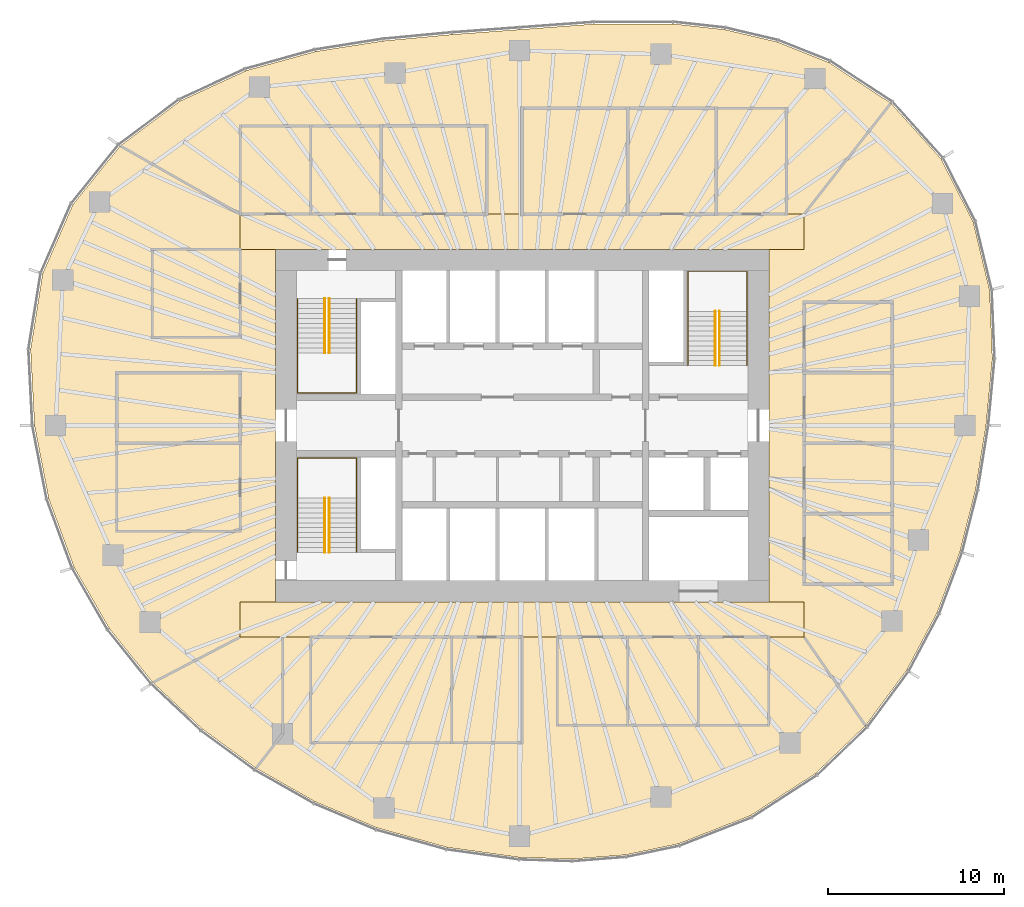
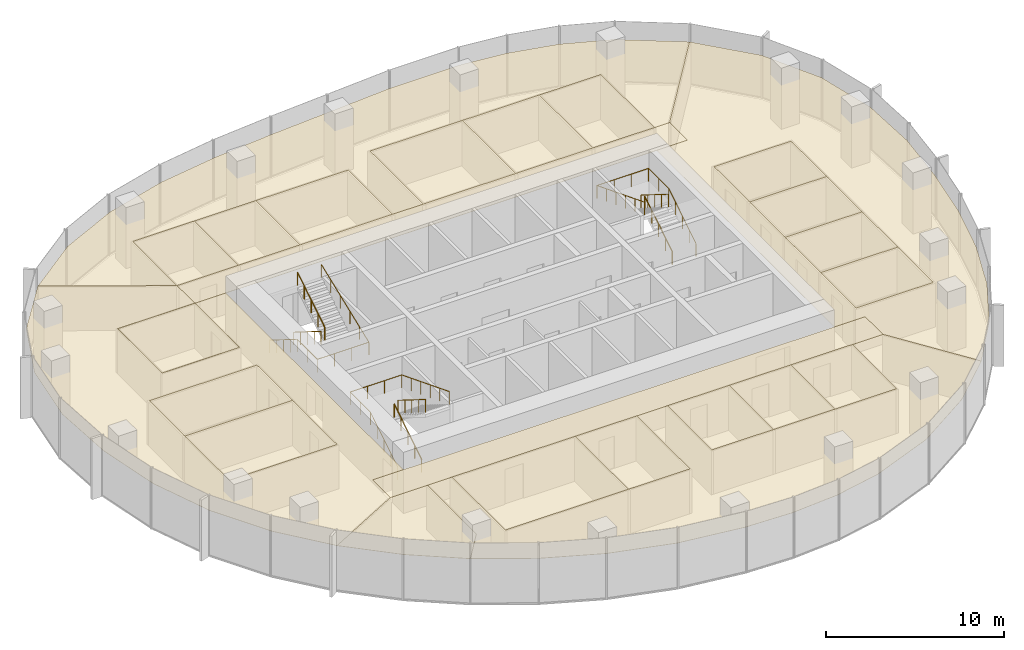
# One storey, part 12 of 12: 25 coverings, 9 railings.
"""IFC4 building model written with IfcOpenShell, lengths in metres."""

import ifcopenshell
import ifcopenshell.guid

model = None  # the IFC model being written
_history = None  # IfcOwnerHistory: only IFC2X3 demands one
_inside = {}  # id of a spatial element -> (the spatial element, [elements in it])
_under = {}  # id of a project, library or spatial element -> (it, [spatial elements below it])
_declared = {}  # id of a project -> (the project, [libraries it declares])
_typed = {}  # id of a type object -> (the type object, [elements of that type])
_made_of = {}  # id of a material, layer set ... -> (it, [elements and type objects made of it])


def new_model(schema):
    """Start an empty IFC model of exactly this schema.

    Asked for "IFC4X3", IfcOpenShell would pick the latest addendum, in which some entities
    have other attributes; the version numbers below select the first issue.
    IFC2X3 requires an IfcOwnerHistory on every rooted entity: one is made here for all.
    """
    global model, _history
    if schema == "IFC4X3":
        model = ifcopenshell.file(schema_version=(4, 3, 0, 0))
    else:
        model = ifcopenshell.file(schema=schema)
    _inside.clear()
    _under.clear()
    _declared.clear()
    _typed.clear()
    _made_of.clear()
    _history = None
    if model.schema == "IFC2X3":
        org = make("IfcOrganization", Name="unknown")
        user = make(
            "IfcPersonAndOrganization",
            ThePerson=make("IfcPerson", FamilyName="unknown"),
            TheOrganization=org,
        )
        app = make(
            "IfcApplication",
            ApplicationDeveloper=org,
            Version="unknown",
            ApplicationFullName="unknown",
            ApplicationIdentifier="unknown",
        )
        _history = make(
            "IfcOwnerHistory",
            OwningUser=user,
            OwningApplication=app,
            ChangeAction="ADDED",
            CreationDate=0,
        )
    return model


def make(cls, **values):
    """One entity of the class cls with the attributes given. An attribute that is None is left unset."""
    return model.create_entity(
        cls, **{name: value for name, value in values.items() if value is not None}
    )


def rooted(cls, **values):
    """An entity with a GlobalId (a new one), such as an element, a storey or a relation."""
    return make(cls, GlobalId=ifcopenshell.guid.new(), OwnerHistory=_history, **values)


def si_unit(unit_type, name, prefix=None):
    """IfcSIUnit, for example si_unit("LENGTHUNIT", "METRE", prefix="MILLI")."""
    return make("IfcSIUnit", UnitType=unit_type, Prefix=prefix, Name=name)


def assignment(units):
    """IfcUnitAssignment: the units of a project."""
    return None if units is None else make("IfcUnitAssignment", Units=units)


def point(xyz):
    """IfcCartesianPoint."""
    return None if xyz is None else make("IfcCartesianPoint", Coordinates=xyz)


def direction(xyz):
    """IfcDirection."""
    return None if xyz is None else make("IfcDirection", DirectionRatios=xyz)


def frame(location, z_axis=None, x_axis=None):
    """IfcAxis2Placement3D, a coordinate frame: its origin and axes. An axis left out is left unset."""
    return make(
        "IfcAxis2Placement3D",
        Location=point(location),
        Axis=direction(z_axis),
        RefDirection=direction(x_axis),
    )


def frame_2d(location, x_axis=None):
    """IfcAxis2Placement2D, a coordinate frame in the plane: its origin and x axis."""
    return make(
        "IfcAxis2Placement2D", Location=point(location), RefDirection=direction(x_axis)
    )


def origin():
    """The frame at (0, 0, 0) with its axes left unset."""
    return frame((0.0, 0.0, 0.0))


def origin_2d():
    """The frame at (0, 0) in the plane with its x axis left unset."""
    return frame_2d((0.0, 0.0))


def place(relative_to, where):
    """IfcLocalPlacement: puts the frame where relative to a parent placement (None: the world)."""
    return make(
        "IfcLocalPlacement", PlacementRelTo=relative_to, RelativePlacement=where
    )


def context(
    kind, dimensions, precision=None, world=None, true_north=None, identifier=None
):
    """IfcGeometricRepresentationContext, for example the 3D "Model" context."""
    return make(
        "IfcGeometricRepresentationContext",
        ContextIdentifier=identifier,
        ContextType=kind,
        CoordinateSpaceDimension=dimensions,
        Precision=precision,
        WorldCoordinateSystem=world,
        TrueNorth=true_north,
    )


def subcontext(parent, identifier, kind, view, scale=None):
    """IfcGeometricRepresentationSubContext, for example "Body" below "Model"."""
    return make(
        "IfcGeometricRepresentationSubContext",
        ContextIdentifier=identifier,
        ContextType=kind,
        ParentContext=parent,
        TargetScale=scale,
        TargetView=view,
    )


def project(units=None, contexts=None):
    """IfcProject with its units and contexts."""
    return rooted(
        "IfcProject",
        Name="project",
        RepresentationContexts=contexts,
        UnitsInContext=assignment(units),
    )


def spatial(cls, under=None, at=None, **own):
    """A site, building, storey or space (cls), placed at a placement, below another one or the project."""
    s = rooted(cls, ObjectPlacement=at, **own)
    if under is not None:
        _under.setdefault(under.id(), (under, []))[1].append(s)
    return s


def polyline(points):
    """IfcPolyline through the points."""
    return make("IfcPolyline", Points=[point(p) for p in points])


def profile(cls, at=None, kind="AREA", **sizes):
    """A parametric profile (cls). Its sizes go by their IFC names, for example OverallWidth=200.0."""
    return make(cls, ProfileType=kind, Position=at, **sizes)


def circle(**sizes):
    """IfcCircleProfileDef."""
    return profile("IfcCircleProfileDef", **sizes)


def outline(outer, holes=None, kind="AREA"):
    """IfcArbitraryClosedProfileDef: a profile drawn as a closed curve; with holes, ...WithVoids."""
    if holes is None:
        return make("IfcArbitraryClosedProfileDef", ProfileType=kind, OuterCurve=outer)
    return make(
        "IfcArbitraryProfileDefWithVoids",
        ProfileType=kind,
        OuterCurve=outer,
        InnerCurves=holes,
    )


def extrude(swept, where, along, depth):
    """IfcExtrudedAreaSolid: the profile swept, set in the frame where, extruded along a direction by depth."""
    return make(
        "IfcExtrudedAreaSolid",
        SweptArea=swept,
        Position=where,
        ExtrudedDirection=direction(along),
        Depth=depth,
    )


def shape(context_of_items, identifier, shape_type, items):
    """IfcShapeRepresentation: the items that make up one representation, for example the "Body"."""
    return make(
        "IfcShapeRepresentation",
        ContextOfItems=context_of_items,
        RepresentationIdentifier=identifier,
        RepresentationType=shape_type,
        Items=items,
    )


def material(Name=None, Category=None):
    """IfcMaterial."""
    return make("IfcMaterial", Name=Name, Category=Category)


def layer(
    of_material, thickness, ventilated=None, Name=None, Category=None, Priority=None
):
    """IfcMaterialLayer: one layer of a wall or slab, of a material (None: an air gap)."""
    return make(
        "IfcMaterialLayer",
        Material=of_material,
        LayerThickness=thickness,
        IsVentilated=ventilated,
        Name=Name,
        Category=Category,
        Priority=Priority,
    )


def layer_set(layers, Name=None):
    """IfcMaterialLayerSet."""
    return make("IfcMaterialLayerSet", MaterialLayers=layers, LayerSetName=Name)


def made_of(thing, what):
    """Note that an element or type object is made of a material, layer set ...; save() writes the relation."""
    if what is not None:
        _made_of.setdefault(what.id(), (what, []))[1].append(thing)
    return thing


def type_object(cls, material=None, **own):
    """A type object (cls), such as IfcWallType, which elements share."""
    return made_of(rooted(cls, **own), material)


def element(
    cls,
    number,
    at=None,
    inside=None,
    cuts=None,
    type_object=None,
    material=None,
    context=None,
    identifier="Body",
    shape_type=None,
    held_by="IfcProductDefinitionShape",
    body=None,
    shapes=None,
    **own,
):
    """One element of the class cls, such as IfcWall. Its Tag is "e" and its number.

    at: its placement. inside: the storey or other place that contains it. cuts: it is an
    opening in that element (IfcRelVoidsElement). A single representation is given by context,
    identifier, shape_type and body (its items); several are given by shapes. held_by: the class
    of the entity that holds the representations. save() writes the other relations.
    """
    e = rooted(cls, Tag="e%d" % number, ObjectPlacement=at, **own)
    if body is not None:
        shapes = [shape(context, identifier, shape_type, body)]
    if shapes is not None:
        e.Representation = make(held_by, Representations=shapes)
    if inside is not None:
        _inside.setdefault(inside.id(), (inside, []))[1].append(e)
    if cuts is not None:
        rooted(
            "IfcRelVoidsElement", RelatingBuildingElement=cuts, RelatedOpeningElement=e
        )
    if type_object is not None:
        _typed.setdefault(type_object.id(), (type_object, []))[1].append(e)
    return made_of(e, material)


def aggregate(whole, parts):
    """IfcRelAggregates: a whole, such as a stair, and the parts it consists of."""
    return rooted("IfcRelAggregates", RelatingObject=whole, RelatedObjects=parts)


def save(model, path):
    """Write the relations noted so far, then the file.

    IfcRelAggregates (storeys below a building ...), IfcRelContainedInSpatialStructure (elements
    in a storey), IfcRelDefinesByType, IfcRelAssociatesMaterial and IfcRelDeclares: one each for
    every whole, place, type object, material and project.
    """
    for whole, parts in _under.values():
        aggregate(whole, parts)
    for where, things in _inside.values():
        rooted(
            "IfcRelContainedInSpatialStructure",
            RelatedElements=things,
            RelatingStructure=where,
        )
    for kind, things in _typed.values():
        rooted("IfcRelDefinesByType", RelatedObjects=things, RelatingType=kind)
    for what, things in _made_of.values():
        rooted("IfcRelAssociatesMaterial", RelatedObjects=things, RelatingMaterial=what)
    for by, libraries in _declared.values():
        rooted("IfcRelDeclares", RelatingContext=by, RelatedDefinitions=libraries)
    model.write(path)


model = new_model("IFC4")

# Units and contexts
model_context = context("Model", 3, precision=1e-05, world=origin(), true_north=direction((0.0, 1.0)))
body_context = subcontext(model_context, "Body", "Model", "MODEL_VIEW")
ifc_project = project(units=[si_unit("LENGTHUNIT", "METRE"), si_unit("AREAUNIT", "SQUARE_METRE"), si_unit("VOLUMEUNIT", "CUBIC_METRE"), si_unit("PLANEANGLEUNIT", "RADIAN"), si_unit("MASSUNIT", "GRAM", prefix="KILO")], contexts=[model_context])

# Site, building, storey
site_placement = place(None, origin())
site = spatial("IfcSite", under=ifc_project, at=site_placement, CompositionType="ELEMENT")
building_placement = place(site_placement, origin())
building = spatial("IfcBuilding", under=site, at=building_placement, Name="Ghaith Harvest Tower", CompositionType="ELEMENT")
storey_placement = place(building_placement, frame((0.0, 0.0, 232.60009765625)))
storey = spatial("IfcBuildingStorey", under=building, at=storey_placement, Name="L51", CompositionType="ELEMENT", Elevation=232.60009765625)

# Coverings
ifc_material_1 = material(Name="Mineral fibre ceiling tile", Category="gypsum")
ifc_layer = layer(ifc_material_1, 0.02001953125)
ifc_layer_set = layer_set([ifc_layer], Name="CEILING C1")
covering_type = type_object("IfcCoveringType", Name="CEILING C1", PredefinedType="CEILING", material=ifc_layer_set)
covering_1_placement = place(storey_placement, frame((0.0, 0.0, 3.0)))
element("IfcCovering", 1, at=covering_1_placement, inside=storey, type_object=covering_type, Name="Ceiling L51-01", PredefinedType="CEILING", context=body_context, shape_type="SweptSolid", body=[
    extrude(outline(polyline([(-12.0, -18.0), (-4.0, -18.0), (-4.0, -12.0), (-12.0, -12.0), (-12.0, -18.0)])), origin(), (0.0, 0.0, 1.0), 0.02001953125),
])
covering_2_placement = place(storey_placement, frame((0.0, 0.0, 3.0)))
element("IfcCovering", 2, at=covering_2_placement, inside=storey, type_object=covering_type, Name="Ceiling L51-02", PredefinedType="CEILING", context=body_context, shape_type="SweptSolid", body=[
    extrude(outline(polyline([(-4.0, -18.0), (0.0, -18.0), (0.0, -12.0), (-4.0, -12.0), (-4.0, -18.0)])), origin(), (0.0, 0.0, 1.0), 0.02001953125),
])
covering_3_placement = place(storey_placement, frame((0.0, 0.0, 3.0)))
element("IfcCovering", 3, at=covering_3_placement, inside=storey, type_object=covering_type, Name="Ceiling L51-03", PredefinedType="CEILING", context=body_context, shape_type="SweptSolid", body=[
    extrude(outline(polyline([(2.0, -17.0), (6.0, -17.0), (6.0, -12.0), (2.0, -12.0), (2.0, -17.0)])), origin(), (0.0, 0.0, 1.0), 0.02001953125),
])
covering_4_placement = place(storey_placement, frame((0.0, 0.0, 3.0)))
element("IfcCovering", 4, at=covering_4_placement, inside=storey, type_object=covering_type, Name="Ceiling L51-04", PredefinedType="CEILING", context=body_context, shape_type="SweptSolid", body=[
    extrude(outline(polyline([(6.0, -17.0), (10.0, -17.0), (10.0, -12.0), (6.0, -12.0), (6.0, -17.0)])), origin(), (0.0, 0.0, 1.0), 0.02001953125),
])
covering_5_placement = place(storey_placement, frame((0.0, 0.0, 3.0)))
element("IfcCovering", 5, at=covering_5_placement, inside=storey, type_object=covering_type, Name="Ceiling L51-05", PredefinedType="CEILING", context=body_context, shape_type="SweptSolid", body=[
    extrude(outline(polyline([(10.0, -17.0), (14.0, -17.0), (14.0, -12.0), (10.0, -12.0), (10.0, -17.0)])), origin(), (0.0, 0.0, 1.0), 0.02001953125),
])
covering_6_placement = place(storey_placement, frame((0.0, 0.0, 3.0)))
element("IfcCovering", 6, at=covering_6_placement, inside=storey, type_object=covering_type, Name="Ceiling L51-06", PredefinedType="CEILING", context=body_context, shape_type="SweptSolid", body=[
    extrude(outline(polyline([(-16.0, 12.0), (-12.0, 12.0), (-12.0, 17.0), (-16.0, 17.0), (-16.0, 12.0)])), origin(), (0.0, 0.0, 1.0), 0.02001953125),
])
covering_7_placement = place(storey_placement, frame((0.0, 0.0, 3.0)))
element("IfcCovering", 7, at=covering_7_placement, inside=storey, type_object=covering_type, Name="Ceiling L51-07", PredefinedType="CEILING", context=body_context, shape_type="SweptSolid", body=[
    extrude(outline(polyline([(-12.0, 12.0), (-8.0, 12.0), (-8.0, 17.0), (-12.0, 17.0), (-12.0, 12.0)])), origin(), (0.0, 0.0, 1.0), 0.02001953125),
])
covering_8_placement = place(storey_placement, frame((0.0, 0.0, 3.0)))
element("IfcCovering", 8, at=covering_8_placement, inside=storey, type_object=covering_type, Name="Ceiling L51-08", PredefinedType="CEILING", context=body_context, shape_type="SweptSolid", body=[
    extrude(outline(polyline([(-8.0, 12.0), (-2.0, 12.0), (-2.0, 17.0), (-8.0, 17.0), (-8.0, 12.0)])), origin(), (0.0, 0.0, 1.0), 0.02001953125),
])
covering_9_placement = place(storey_placement, frame((0.0, 0.0, 3.0)))
element("IfcCovering", 9, at=covering_9_placement, inside=storey, type_object=covering_type, Name="Ceiling L51-09", PredefinedType="CEILING", context=body_context, shape_type="SweptSolid", body=[
    extrude(outline(polyline([(0.0, 12.0), (6.0, 12.0), (6.0, 18.0), (0.0, 18.0), (0.0, 12.0)])), origin(), (0.0, 0.0, 1.0), 0.02001953125),
])
covering_10_placement = place(storey_placement, frame((0.0, 0.0, 3.0)))
element("IfcCovering", 10, at=covering_10_placement, inside=storey, type_object=covering_type, Name="Ceiling L51-10", PredefinedType="CEILING", context=body_context, shape_type="SweptSolid", body=[
    extrude(outline(polyline([(6.0, 12.0), (11.0, 12.0), (11.0, 18.0), (6.0, 18.0), (6.0, 12.0)])), origin(), (0.0, 0.0, 1.0), 0.02001953125),
])
covering_11_placement = place(storey_placement, frame((0.0, 0.0, 3.0)))
element("IfcCovering", 11, at=covering_11_placement, inside=storey, type_object=covering_type, Name="Ceiling L51-11", PredefinedType="CEILING", context=body_context, shape_type="SweptSolid", body=[
    extrude(outline(polyline([(11.0, 12.0), (15.0, 12.0), (15.0, 18.0), (11.0, 18.0), (11.0, 12.0)])), origin(), (0.0, 0.0, 1.0), 0.02001953125),
])
covering_12_placement = place(storey_placement, frame((0.0, 0.0, 3.0)))
element("IfcCovering", 12, at=covering_12_placement, inside=storey, type_object=covering_type, Name="Ceiling L51-12", PredefinedType="CEILING", context=body_context, shape_type="SweptSolid", body=[
    extrude(outline(polyline([(16.0, -9.0), (21.0, -9.0), (21.0, -5.0), (16.0, -5.0), (16.0, -9.0)])), origin(), (0.0, 0.0, 1.0), 0.02001953125),
])
covering_13_placement = place(storey_placement, frame((0.0, 0.0, 3.0)))
element("IfcCovering", 13, at=covering_13_placement, inside=storey, type_object=covering_type, Name="Ceiling L51-13", PredefinedType="CEILING", context=body_context, shape_type="SweptSolid", body=[
    extrude(outline(polyline([(16.0, -5.0), (21.0, -5.0), (21.0, -1.0), (16.0, -1.0), (16.0, -5.0)])), origin(), (0.0, 0.0, 1.0), 0.02001953125),
])
covering_14_placement = place(storey_placement, frame((0.0, 0.0, 3.0)))
element("IfcCovering", 14, at=covering_14_placement, inside=storey, type_object=covering_type, Name="Ceiling L51-14", PredefinedType="CEILING", context=body_context, shape_type="SweptSolid", body=[
    extrude(outline(polyline([(16.0, -1.0), (21.0, -1.0), (21.0, 3.0), (16.0, 3.0), (16.0, -1.0)])), origin(), (0.0, 0.0, 1.0), 0.02001953125),
])
covering_15_placement = place(storey_placement, frame((0.0, 0.0, 3.0)))
element("IfcCovering", 15, at=covering_15_placement, inside=storey, type_object=covering_type, Name="Ceiling L51-15", PredefinedType="CEILING", context=body_context, shape_type="SweptSolid", body=[
    extrude(outline(polyline([(16.0, 3.0), (21.0, 3.0), (21.0, 7.0), (16.0, 7.0), (16.0, 3.0)])), origin(), (0.0, 0.0, 1.0), 0.02001953125),
])
covering_16_placement = place(storey_placement, frame((0.0, 0.0, 3.0)))
element("IfcCovering", 16, at=covering_16_placement, inside=storey, type_object=covering_type, Name="Ceiling L51-16", PredefinedType="CEILING", context=body_context, shape_type="SweptSolid", body=[
    extrude(outline(polyline([(-23.0, -6.0), (-16.0, -6.0), (-16.0, -1.0), (-23.0, -1.0), (-23.0, -6.0)])), origin(), (0.0, 0.0, 1.0), 0.02001953125),
])
covering_17_placement = place(storey_placement, frame((0.0, 0.0, 3.0)))
element("IfcCovering", 17, at=covering_17_placement, inside=storey, type_object=covering_type, Name="Ceiling L51-17", PredefinedType="CEILING", context=body_context, shape_type="SweptSolid", body=[
    extrude(outline(polyline([(-23.0, -1.0), (-16.0, -1.0), (-16.0, 3.0), (-23.0, 3.0), (-23.0, -1.0)])), origin(), (0.0, 0.0, 1.0), 0.02001953125),
])
covering_18_placement = place(storey_placement, frame((0.0, 0.0, 3.0)))
element("IfcCovering", 18, at=covering_18_placement, inside=storey, type_object=covering_type, Name="Ceiling L51-18", PredefinedType="CEILING", context=body_context, shape_type="SweptSolid", body=[
    extrude(outline(polyline([(-21.0, 5.0), (-16.0, 5.0), (-16.0, 10.0), (-21.0, 10.0), (-21.0, 5.0)])), origin(), (0.0, 0.0, 1.0), 0.02001953125),
])
covering_19_placement = place(storey_placement, frame((0.0, 0.0, 3.0)))
element("IfcCovering", 19, at=covering_19_placement, inside=storey, type_object=covering_type, Name="Ceiling L51-C1", PredefinedType="CEILING", context=body_context, shape_type="SweptSolid", body=[
    extrude(outline(polyline([(16.0, 10.0), (-16.0, 10.0), (-16.0, 12.0), (16.0, 12.0), (16.0, 10.0)])), origin(), (0.0, 0.0, 1.0), 0.02001953125),
])
covering_20_placement = place(storey_placement, frame((0.0, 0.0, 3.0)))
element("IfcCovering", 20, at=covering_20_placement, inside=storey, type_object=covering_type, Name="Ceiling L51-C2", PredefinedType="CEILING", context=body_context, shape_type="SweptSolid", body=[
    extrude(outline(polyline([(-16.0, -10.0), (16.0, -10.0), (16.0, -12.0), (-16.0, -12.0), (-16.0, -10.0)])), origin(), (0.0, 0.0, 1.0), 0.02001953125),
])
covering_21_placement = place(storey_placement, frame((0.0, 0.0, 3.0)))
element("IfcCovering", 21, at=covering_21_placement, inside=storey, type_object=covering_type, Name="Ceiling L51-N1", PredefinedType="CEILING", context=body_context, shape_type="SweptSolid", body=[
    extrude(outline(polyline([(-19.408203125, 18.41650390625), (-15.6474609375, 20.147705078125), (-11.694580078125, 21.2314453125), (-7.8837890625, 21.827880859375), (-3.963134765625, 22.192138671875), (-0.15380859375, 22.470458984375), (4.03857421875, 22.78125), (8.522216796875, 22.796875), (11.47265625, 22.47265625), (14.460693359375, 21.771484375), (17.382080078125, 20.612548828125), (20.923095703125, 18.295166015625), (16.0, 12.0), (15.0, 12.0), (15.0, 18.0), (0.0, 18.0), (0.0, 12.0), (-2.0, 12.0), (-2.0, 17.0), (-16.0, 17.0), (-16.0, 12.0), (-22.809814453125, 15.87109375), (-19.408203125, 18.41650390625)])), origin(), (0.0, 0.0, 1.0), 0.02001953125),
])
covering_22_placement = place(storey_placement, frame((0.0, 0.0, 3.0)))
element("IfcCovering", 22, at=covering_22_placement, inside=storey, type_object=covering_type, Name="Ceiling L51-E1", PredefinedType="CEILING", context=body_context, shape_type="SweptSolid", body=[
    extrude(outline(polyline([(23.77294921875, 15.12939453125), (25.597900390625, 11.55615234375), (26.531005859375, 7.668212890625), (26.685791015625, 3.779052734375), (26.324951171875, 0.0), (25.734375, -3.644287109375), (24.840576171875, -7.179443359375), (23.548828125, -10.631103515625), (21.821533203125, -13.887451171875), (19.48388671875, -17.036865234375), (16.0, -12.0), (16.0, -10.0), (14.0, -10.0), (14.0, 10.0), (16.0, 10.0), (16.0, 12.0), (20.923095703125, 18.295166015625), (23.77294921875, 15.12939453125)]), holes=[polyline([(16.0, 7.0), (16.0, -9.0), (21.0, -9.0), (21.0, 7.0), (16.0, 7.0)])]), origin(), (0.0, 0.0, 1.0), 0.02001953125),
])
covering_23_placement = place(storey_placement, frame((0.0, 0.0, 3.0)))
element("IfcCovering", 23, at=covering_23_placement, inside=storey, type_object=covering_type, Name="Ceiling L51-S1", PredefinedType="CEILING", context=body_context, shape_type="SweptSolid", body=[
    extrude(outline(polyline([(16.651611328125, -19.746337890625), (12.949462890625, -22.1435546875), (8.8740234375, -23.73779296875), (5.865234375, -24.3662109375), (2.833984375, -24.602294921875), (-0.167724609375, -24.505126953125), (-4.27490234375, -23.9375), (-8.2451171875, -22.82861328125), (-11.75732421875, -21.345703125), (-15.10400390625, -19.447998046875), (-15.10400390625, -19.447998046875), (-13.594970703125, -17.5048828125), (-13.594970703125, -12.0), (-12.0, -12.0), (-12.0, -18.0), (0.0, -18.0), (0.0, -12.0), (2.0, -12.0), (2.0, -17.0), (14.0, -17.0), (14.0, -12.0), (16.0, -12.0), (19.48388671875, -17.036865234375), (16.651611328125, -19.746337890625)])), origin(), (0.0, 0.0, 1.0), 0.02001953125),
])
covering_24_placement = place(storey_placement, frame((0.0, 0.0, 3.0)))
element("IfcCovering", 24, at=covering_24_placement, inside=storey, type_object=covering_type, Name="Ceiling L51-S2", PredefinedType="CEILING", context=body_context, shape_type="SweptSolid", body=[
    extrude(outline(polyline([(-15.10400390625, -19.447998046875), (-18.15087890625, -17.223388671875), (-20.963134765625, -14.586181640625), (-16.0, -12.0), (-13.594970703125, -12.0), (-13.594970703125, -17.5048828125), (-15.10400390625, -19.447998046875)])), origin(), (0.0, 0.0, 1.0), 0.02001953125),
])
covering_25_placement = place(storey_placement, frame((0.0, 0.0, 3.0)))
element("IfcCovering", 25, at=covering_25_placement, inside=storey, type_object=covering_type, Name="Ceiling L51-W1", PredefinedType="CEILING", context=body_context, shape_type="SweptSolid", body=[
    extrude(outline(polyline([(-27.897216796875, 4.314697265625), (-27.211181640625, 8.623779296875), (-25.491943359375, 12.547607421875), (-22.809814453125, 15.87109375), (-16.0, 12.0), (-16.0, 10.010009765625), (-21.010009765625, 10.010009765625), (-21.010009765625, 4.989990234375), (-15.989990234375, 4.989990234375), (-15.989990234375, 10.0), (-14.0, 10.0), (-14.0, -10.0), (-16.0, -10.0), (-16.0, -12.0), (-20.963134765625, -14.586181640625), (-23.425537109375, -11.530517578125), (-25.424072265625, -8.057373046875), (-26.86669921875, -4.155517578125), (-27.675048828125, 0.0), (-27.897216796875, 4.314697265625)]), holes=[polyline([(-23.0, -6.0), (-16.0, -6.0), (-16.0, 3.0), (-23.0, 3.0), (-23.0, -6.0)])]), origin(), (0.0, 0.0, 1.0), 0.02001953125),
])

# Railings
ifc_material_2 = material(Name="Steel, black powder-coated", Category="steel")
railing_type = type_object("IfcRailingType", Name="HANDRAIL HR1", PredefinedType="HANDRAIL", material=ifc_material_2)
railing_1_placement = place(storey_placement, frame((-11.199951171875, 7.199951171875, 0.1748046875)))
element("IfcRailing", 26, at=railing_1_placement, inside=storey, type_object=railing_type, Name="Handrail HR1 stair ST1 L51 flight 1 inner", PredefinedType="HANDRAIL", context=body_context, shape_type="SweptSolid", body=[
    extrude(circle(Radius=0.02392578125, at=origin_2d()), frame((0.0, 0.0, 0.8759765625), z_axis=(0.0, -0.847979421464, 0.530029150871), x_axis=(1.0, 0.0, 0.0)), (0.0, 0.0, 1.0), 3.632080078125),
    extrude(circle(Radius=0.02099609375, at=origin_2d()), origin(), (0.0, 0.0, 1.0), 0.851806640625),
    extrude(circle(Radius=0.02099609375, at=origin_2d()), frame((0.0, -0.77001953125, 0.481201171875)), (0.0, 0.0, 1.0), 0.851806640625),
    extrude(circle(Radius=0.02099609375, at=origin_2d()), frame((0.0, -1.5400390625, 0.96240234375)), (0.0, 0.0, 1.0), 0.851806640625),
    extrude(circle(Radius=0.02099609375, at=origin_2d()), frame((0.0, -2.309814453125, 1.44384765625)), (0.0, 0.0, 1.0), 0.851806640625),
    extrude(circle(Radius=0.02099609375, at=origin_2d()), frame((0.0, -3.079833984375, 1.925048828125)), (0.0, 0.0, 1.0), 0.851806640625),
])
railing_2_placement = place(storey_placement, frame((-10.949951171875, 4.1201171875, 2.27490234375)))
element("IfcRailing", 27, at=railing_2_placement, inside=storey, type_object=railing_type, Name="Handrail HR1 stair ST1 L51 flight 2 inner", PredefinedType="HANDRAIL", context=body_context, shape_type="SweptSolid", body=[
    extrude(circle(Radius=0.02392578125, at=origin_2d()), frame((0.0, 0.0, 0.8759765625), z_axis=(0.0, 0.847979421464, 0.530029150871), x_axis=(-1.0, 0.0, 0.0)), (0.0, 0.0, 1.0), 3.632080078125),
    extrude(circle(Radius=0.02099609375, at=origin_2d()), origin(), (0.0, 0.0, 1.0), 0.851806640625),
    extrude(circle(Radius=0.02099609375, at=origin_2d()), frame((0.0, 0.77001953125, 0.481201171875)), (0.0, 0.0, 1.0), 0.851806640625),
    extrude(circle(Radius=0.02099609375, at=origin_2d()), frame((0.0, 1.5400390625, 0.96240234375)), (0.0, 0.0, 1.0), 0.851806640625),
    extrude(circle(Radius=0.02099609375, at=origin_2d()), frame((0.0, 2.309814453125, 1.44384765625)), (0.0, 0.0, 1.0), 0.851806640625),
    extrude(circle(Radius=0.02099609375, at=origin_2d()), frame((0.0, 3.079833984375, 1.925048828125)), (0.0, 0.0, 1.0), 0.851806640625),
])
railing_3_placement = place(storey_placement, frame((-12.75, 7.199951171875, 0.1748046875)))
element("IfcRailing", 28, at=railing_3_placement, inside=storey, type_object=railing_type, Name="Handrail HR1 stair ST1 L51 wall side", PredefinedType="HANDRAIL", context=body_context, shape_type="SweptSolid", body=[
    extrude(circle(Radius=0.02392578125, at=origin_2d()), frame((0.0, 0.0, 0.8759765625), z_axis=(0.0, -0.847979421464, 0.530029150871), x_axis=(1.0, 0.0, 0.0)), (0.0, 0.0, 1.0), 3.632080078125),
    extrude(circle(Radius=0.02392578125, at=origin_2d()), frame((0.0, -3.079833984375, 2.80078125), z_axis=(0.0, -1.0, 0.0), x_axis=(1.0, 0.0, 0.0)), (0.0, 0.0, 1.0), 2.27001953125),
    extrude(circle(Radius=0.02392578125, at=origin_2d()), frame((0.0, -5.349853515625, 2.80078125), z_axis=(1.0, 0.0, 0.0), x_axis=(0.0, 1.0, 0.0)), (0.0, 0.0, 1.0), 3.35009765625),
    extrude(circle(Radius=0.02392578125, at=origin_2d()), frame((3.35009765625, -5.349853515625, 2.80078125), z_axis=(0.0, 0.930848013298, 0.36540659017), x_axis=(-1.0, 0.0, 0.0)), (0.0, 0.0, 1.0), 5.747314453125),
    extrude(circle(Radius=0.02099609375, at=origin_2d()), origin(), (0.0, 0.0, 1.0), 0.851806640625),
    extrude(circle(Radius=0.02099609375, at=origin_2d()), frame((0.0, -0.77001953125, 0.481201171875)), (0.0, 0.0, 1.0), 0.851806640625),
    extrude(circle(Radius=0.02099609375, at=origin_2d()), frame((0.0, -1.5400390625, 0.96240234375)), (0.0, 0.0, 1.0), 0.851806640625),
    extrude(circle(Radius=0.02099609375, at=origin_2d()), frame((0.0, -2.309814453125, 1.44384765625)), (0.0, 0.0, 1.0), 0.851806640625),
    extrude(circle(Radius=0.02099609375, at=origin_2d()), frame((0.0, -3.079833984375, 1.925048828125)), (0.0, 0.0, 1.0), 0.851806640625),
    extrude(circle(Radius=0.02099609375, at=origin_2d()), frame((0.0, -4.21484375, 1.925048828125)), (0.0, 0.0, 1.0), 0.851806640625),
    extrude(circle(Radius=0.02099609375, at=origin_2d()), frame((0.0, -5.349853515625, 1.925048828125)), (0.0, 0.0, 1.0), 0.851806640625),
    extrude(circle(Radius=0.02099609375, at=origin_2d()), frame((1.11669921875, -5.349853515625, 1.925048828125)), (0.0, 0.0, 1.0), 0.851806640625),
    extrude(circle(Radius=0.02099609375, at=origin_2d()), frame((2.2333984375, -5.349853515625, 1.925048828125)), (0.0, 0.0, 1.0), 0.851806640625),
    extrude(circle(Radius=0.02099609375, at=origin_2d()), frame((3.35009765625, -5.349853515625, 1.925048828125)), (0.0, 0.0, 1.0), 0.851806640625),
    extrude(circle(Radius=0.02099609375, at=origin_2d()), frame((3.35009765625, -4.27978515625, 2.344970703125)), (0.0, 0.0, 1.0), 0.851806640625),
    extrude(circle(Radius=0.02099609375, at=origin_2d()), frame((3.35009765625, -3.2099609375, 2.76513671875)), (0.0, 0.0, 1.0), 0.851806640625),
    extrude(circle(Radius=0.02099609375, at=origin_2d()), frame((3.35009765625, -2.139892578125, 3.18505859375)), (0.0, 0.0, 1.0), 0.851806640625),
    extrude(circle(Radius=0.02099609375, at=origin_2d()), frame((3.35009765625, -1.070068359375, 3.605224609375)), (0.0, 0.0, 1.0), 0.851806640625),
    extrude(circle(Radius=0.02099609375, at=origin_2d()), frame((3.35009765625, 0.0, 4.025146484375)), (0.0, 0.0, 1.0), 0.851806640625),
])
railing_4_placement = place(storey_placement, frame((-11.199951171875, -7.199951171875, 0.1748046875)))
element("IfcRailing", 29, at=railing_4_placement, inside=storey, type_object=railing_type, Name="Handrail HR1 stair ST3 L51 flight 1 inner", PredefinedType="HANDRAIL", context=body_context, shape_type="SweptSolid", body=[
    extrude(circle(Radius=0.02392578125, at=origin_2d()), frame((0.0, 0.0, 0.8759765625), z_axis=(0.0, 0.847979421464, 0.530029150871), x_axis=(-1.0, 0.0, 0.0)), (0.0, 0.0, 1.0), 3.632080078125),
    extrude(circle(Radius=0.02099609375, at=origin_2d()), origin(), (0.0, 0.0, 1.0), 0.851806640625),
    extrude(circle(Radius=0.02099609375, at=origin_2d()), frame((0.0, 0.77001953125, 0.481201171875)), (0.0, 0.0, 1.0), 0.851806640625),
    extrude(circle(Radius=0.02099609375, at=origin_2d()), frame((0.0, 1.5400390625, 0.96240234375)), (0.0, 0.0, 1.0), 0.851806640625),
    extrude(circle(Radius=0.02099609375, at=origin_2d()), frame((0.0, 2.309814453125, 1.44384765625)), (0.0, 0.0, 1.0), 0.851806640625),
    extrude(circle(Radius=0.02099609375, at=origin_2d()), frame((0.0, 3.079833984375, 1.925048828125)), (0.0, 0.0, 1.0), 0.851806640625),
])
railing_5_placement = place(storey_placement, frame((-10.949951171875, -4.1201171875, 2.27490234375)))
element("IfcRailing", 30, at=railing_5_placement, inside=storey, type_object=railing_type, Name="Handrail HR1 stair ST3 L51 flight 2 inner", PredefinedType="HANDRAIL", context=body_context, shape_type="SweptSolid", body=[
    extrude(circle(Radius=0.02392578125, at=origin_2d()), frame((0.0, 0.0, 0.8759765625), z_axis=(0.0, -0.847979421464, 0.530029150871), x_axis=(1.0, 0.0, 0.0)), (0.0, 0.0, 1.0), 3.632080078125),
    extrude(circle(Radius=0.02099609375, at=origin_2d()), origin(), (0.0, 0.0, 1.0), 0.851806640625),
    extrude(circle(Radius=0.02099609375, at=origin_2d()), frame((0.0, -0.77001953125, 0.481201171875)), (0.0, 0.0, 1.0), 0.851806640625),
    extrude(circle(Radius=0.02099609375, at=origin_2d()), frame((0.0, -1.5400390625, 0.96240234375)), (0.0, 0.0, 1.0), 0.851806640625),
    extrude(circle(Radius=0.02099609375, at=origin_2d()), frame((0.0, -2.309814453125, 1.44384765625)), (0.0, 0.0, 1.0), 0.851806640625),
    extrude(circle(Radius=0.02099609375, at=origin_2d()), frame((0.0, -3.079833984375, 1.925048828125)), (0.0, 0.0, 1.0), 0.851806640625),
])
railing_6_placement = place(storey_placement, frame((-12.75, -7.199951171875, 0.1748046875)))
element("IfcRailing", 31, at=railing_6_placement, inside=storey, type_object=railing_type, Name="Handrail HR1 stair ST3 L51 wall side", PredefinedType="HANDRAIL", context=body_context, shape_type="SweptSolid", body=[
    extrude(circle(Radius=0.02392578125, at=origin_2d()), frame((0.0, 0.0, 0.8759765625), z_axis=(0.0, 0.847979421464, 0.530029150871), x_axis=(-1.0, 0.0, 0.0)), (0.0, 0.0, 1.0), 3.632080078125),
    extrude(circle(Radius=0.02392578125, at=origin_2d()), frame((0.0, 3.079833984375, 2.80078125), z_axis=(0.0, 1.0, 0.0), x_axis=(-1.0, 0.0, 0.0)), (0.0, 0.0, 1.0), 2.27001953125),
    extrude(circle(Radius=0.02392578125, at=origin_2d()), frame((0.0, 5.349853515625, 2.80078125), z_axis=(1.0, 0.0, 0.0), x_axis=(0.0, 1.0, 0.0)), (0.0, 0.0, 1.0), 3.35009765625),
    extrude(circle(Radius=0.02392578125, at=origin_2d()), frame((3.35009765625, 5.349853515625, 2.80078125), z_axis=(0.0, -0.930848013298, 0.36540659017), x_axis=(1.0, 0.0, 0.0)), (0.0, 0.0, 1.0), 5.747314453125),
    extrude(circle(Radius=0.02099609375, at=origin_2d()), origin(), (0.0, 0.0, 1.0), 0.851806640625),
    extrude(circle(Radius=0.02099609375, at=origin_2d()), frame((0.0, 0.77001953125, 0.481201171875)), (0.0, 0.0, 1.0), 0.851806640625),
    extrude(circle(Radius=0.02099609375, at=origin_2d()), frame((0.0, 1.5400390625, 0.96240234375)), (0.0, 0.0, 1.0), 0.851806640625),
    extrude(circle(Radius=0.02099609375, at=origin_2d()), frame((0.0, 2.309814453125, 1.44384765625)), (0.0, 0.0, 1.0), 0.851806640625),
    extrude(circle(Radius=0.02099609375, at=origin_2d()), frame((0.0, 3.079833984375, 1.925048828125)), (0.0, 0.0, 1.0), 0.851806640625),
    extrude(circle(Radius=0.02099609375, at=origin_2d()), frame((0.0, 4.21484375, 1.925048828125)), (0.0, 0.0, 1.0), 0.851806640625),
    extrude(circle(Radius=0.02099609375, at=origin_2d()), frame((0.0, 5.349853515625, 1.925048828125)), (0.0, 0.0, 1.0), 0.851806640625),
    extrude(circle(Radius=0.02099609375, at=origin_2d()), frame((1.11669921875, 5.349853515625, 1.925048828125)), (0.0, 0.0, 1.0), 0.851806640625),
    extrude(circle(Radius=0.02099609375, at=origin_2d()), frame((2.2333984375, 5.349853515625, 1.925048828125)), (0.0, 0.0, 1.0), 0.851806640625),
    extrude(circle(Radius=0.02099609375, at=origin_2d()), frame((3.35009765625, 5.349853515625, 1.925048828125)), (0.0, 0.0, 1.0), 0.851806640625),
    extrude(circle(Radius=0.02099609375, at=origin_2d()), frame((3.35009765625, 4.27978515625, 2.344970703125)), (0.0, 0.0, 1.0), 0.851806640625),
    extrude(circle(Radius=0.02099609375, at=origin_2d()), frame((3.35009765625, 3.2099609375, 2.76513671875)), (0.0, 0.0, 1.0), 0.851806640625),
    extrude(circle(Radius=0.02099609375, at=origin_2d()), frame((3.35009765625, 2.139892578125, 3.18505859375)), (0.0, 0.0, 1.0), 0.851806640625),
    extrude(circle(Radius=0.02099609375, at=origin_2d()), frame((3.35009765625, 1.070068359375, 3.605224609375)), (0.0, 0.0, 1.0), 0.851806640625),
    extrude(circle(Radius=0.02099609375, at=origin_2d()), frame((3.35009765625, 0.0, 4.025146484375)), (0.0, 0.0, 1.0), 0.851806640625),
])
railing_7_placement = place(storey_placement, frame((11.199951171875, 3.39990234375, 0.1748046875)))
element("IfcRailing", 32, at=railing_7_placement, inside=storey, type_object=railing_type, Name="Handrail HR1 stair ST2 L51 flight 1 inner", PredefinedType="HANDRAIL", context=body_context, shape_type="SweptSolid", body=[
    extrude(circle(Radius=0.02392578125, at=origin_2d()), frame((0.0, 0.0, 0.8759765625), z_axis=(0.0, 0.847998304005, 0.529998940003), x_axis=(-1.0, 0.0, 0.0)), (0.0, 0.0, 1.0), 3.632080078125),
    extrude(circle(Radius=0.02099609375, at=origin_2d()), origin(), (0.0, 0.0, 1.0), 0.851806640625),
    extrude(circle(Radius=0.02099609375, at=origin_2d()), frame((0.0, 0.77001953125, 0.481201171875)), (0.0, 0.0, 1.0), 0.851806640625),
    extrude(circle(Radius=0.02099609375, at=origin_2d()), frame((0.0, 1.5400390625, 0.96240234375)), (0.0, 0.0, 1.0), 0.851806640625),
    extrude(circle(Radius=0.02099609375, at=origin_2d()), frame((0.0, 2.31005859375, 1.44384765625)), (0.0, 0.0, 1.0), 0.851806640625),
    extrude(circle(Radius=0.02099609375, at=origin_2d()), frame((0.0, 3.080078125, 1.925048828125)), (0.0, 0.0, 1.0), 0.851806640625),
])
railing_8_placement = place(storey_placement, frame((10.949951171875, 6.47998046875, 2.27490234375)))
element("IfcRailing", 33, at=railing_8_placement, inside=storey, type_object=railing_type, Name="Handrail HR1 stair ST2 L51 flight 2 inner", PredefinedType="HANDRAIL", context=body_context, shape_type="SweptSolid", body=[
    extrude(circle(Radius=0.02392578125, at=origin_2d()), frame((0.0, 0.0, 0.8759765625), z_axis=(0.0, -0.847998304005, 0.529998940003), x_axis=(1.0, 0.0, 0.0)), (0.0, 0.0, 1.0), 3.632080078125),
    extrude(circle(Radius=0.02099609375, at=origin_2d()), origin(), (0.0, 0.0, 1.0), 0.851806640625),
    extrude(circle(Radius=0.02099609375, at=origin_2d()), frame((0.0, -0.77001953125, 0.481201171875)), (0.0, 0.0, 1.0), 0.851806640625),
    extrude(circle(Radius=0.02099609375, at=origin_2d()), frame((0.0, -1.5400390625, 0.96240234375)), (0.0, 0.0, 1.0), 0.851806640625),
    extrude(circle(Radius=0.02099609375, at=origin_2d()), frame((0.0, -2.31005859375, 1.44384765625)), (0.0, 0.0, 1.0), 0.851806640625),
    extrude(circle(Radius=0.02099609375, at=origin_2d()), frame((0.0, -3.080078125, 1.925048828125)), (0.0, 0.0, 1.0), 0.851806640625),
])
railing_9_placement = place(storey_placement, frame((12.75, 3.39990234375, 0.1748046875)))
element("IfcRailing", 34, at=railing_9_placement, inside=storey, type_object=railing_type, Name="Handrail HR1 stair ST2 L51 wall side", PredefinedType="HANDRAIL", context=body_context, shape_type="SweptSolid", body=[
    extrude(circle(Radius=0.02392578125, at=origin_2d()), frame((0.0, 0.0, 0.8759765625), z_axis=(0.0, 0.847998304005, 0.529998940003), x_axis=(-1.0, 0.0, 0.0)), (0.0, 0.0, 1.0), 3.632080078125),
    extrude(circle(Radius=0.02392578125, at=origin_2d()), frame((0.0, 3.080078125, 2.80078125), z_axis=(0.0, 1.0, 0.0), x_axis=(-1.0, 0.0, 0.0)), (0.0, 0.0, 1.0), 2.27001953125),
    extrude(circle(Radius=0.02392578125, at=origin_2d()), frame((0.0, 5.35009765625, 2.80078125), z_axis=(-1.0, 0.0, 0.0), x_axis=(0.0, -1.0, 0.0)), (0.0, 0.0, 1.0), 3.35009765625),
    extrude(circle(Radius=0.02392578125, at=origin_2d()), frame((-3.35009765625, 5.35009765625, 2.80078125), z_axis=(0.0, -0.930853684876, 0.365392141887), x_axis=(1.0, 0.0, 0.0)), (0.0, 0.0, 1.0), 5.74755859375),
    extrude(circle(Radius=0.02099609375, at=origin_2d()), origin(), (0.0, 0.0, 1.0), 0.851806640625),
    extrude(circle(Radius=0.02099609375, at=origin_2d()), frame((0.0, 0.77001953125, 0.481201171875)), (0.0, 0.0, 1.0), 0.851806640625),
    extrude(circle(Radius=0.02099609375, at=origin_2d()), frame((0.0, 1.5400390625, 0.96240234375)), (0.0, 0.0, 1.0), 0.851806640625),
    extrude(circle(Radius=0.02099609375, at=origin_2d()), frame((0.0, 2.31005859375, 1.44384765625)), (0.0, 0.0, 1.0), 0.851806640625),
    extrude(circle(Radius=0.02099609375, at=origin_2d()), frame((0.0, 3.080078125, 1.925048828125)), (0.0, 0.0, 1.0), 0.851806640625),
    extrude(circle(Radius=0.02099609375, at=origin_2d()), frame((0.0, 4.215087890625, 1.925048828125)), (0.0, 0.0, 1.0), 0.851806640625),
    extrude(circle(Radius=0.02099609375, at=origin_2d()), frame((0.0, 5.35009765625, 1.925048828125)), (0.0, 0.0, 1.0), 0.851806640625),
    extrude(circle(Radius=0.02099609375, at=origin_2d()), frame((-1.11669921875, 5.35009765625, 1.925048828125)), (0.0, 0.0, 1.0), 0.851806640625),
    extrude(circle(Radius=0.02099609375, at=origin_2d()), frame((-2.2333984375, 5.35009765625, 1.925048828125)), (0.0, 0.0, 1.0), 0.851806640625),
    extrude(circle(Radius=0.02099609375, at=origin_2d()), frame((-3.35009765625, 5.35009765625, 1.925048828125)), (0.0, 0.0, 1.0), 0.851806640625),
    extrude(circle(Radius=0.02099609375, at=origin_2d()), frame((-3.35009765625, 4.280029296875, 2.344970703125)), (0.0, 0.0, 1.0), 0.851806640625),
    extrude(circle(Radius=0.02099609375, at=origin_2d()), frame((-3.35009765625, 3.2099609375, 2.76513671875)), (0.0, 0.0, 1.0), 0.851806640625),
    extrude(circle(Radius=0.02099609375, at=origin_2d()), frame((-3.35009765625, 2.14013671875, 3.18505859375)), (0.0, 0.0, 1.0), 0.851806640625),
    extrude(circle(Radius=0.02099609375, at=origin_2d()), frame((-3.35009765625, 1.070068359375, 3.605224609375)), (0.0, 0.0, 1.0), 0.851806640625),
    extrude(circle(Radius=0.02099609375, at=origin_2d()), frame((-3.35009765625, 0.0, 4.025146484375)), (0.0, 0.0, 1.0), 0.851806640625),
])

save(model, "model.ifc")
